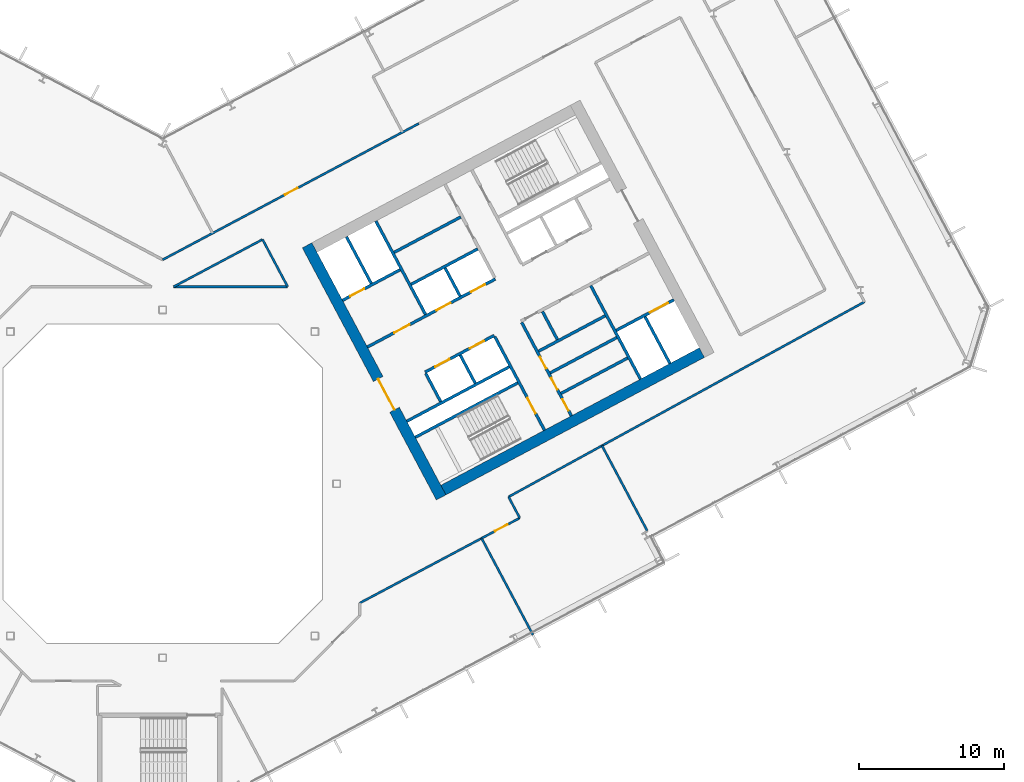
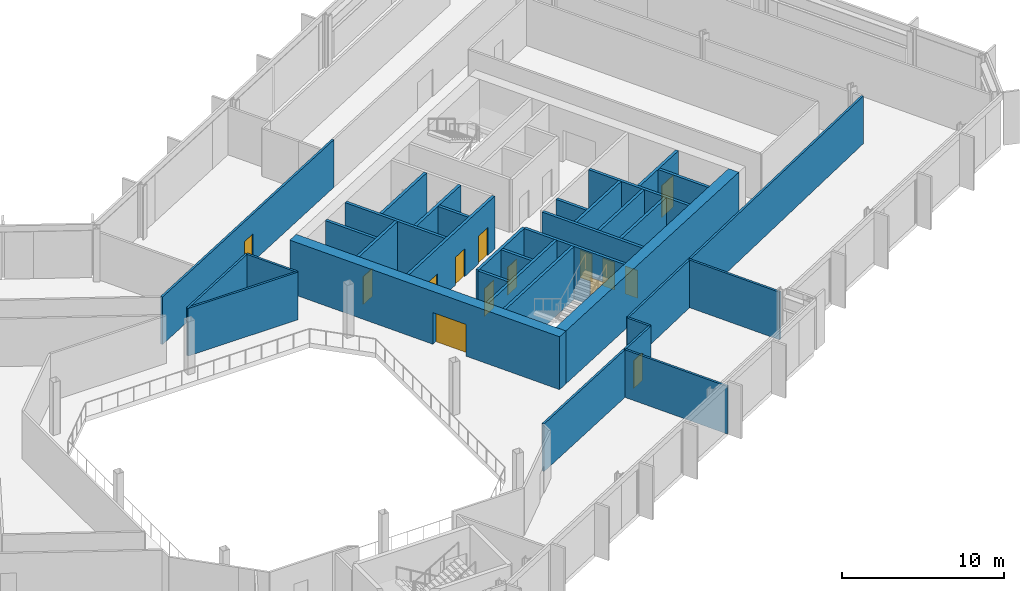
# One storey, part 16 of 28: 34 walls, 14 doors, 14 openings.
"""IFC4 building model written with IfcOpenShell, lengths in metres."""

from ifc_helpers import new_model, si_unit, direction, frame, frame_2d, origin, place, context, subcontext, project, spatial, rectangle, extrude, material, layer, layer_set, type_object, element, fill, save


model = new_model("IFC4")

# Units and contexts
model_context = context("Model", 3, precision=1e-05, world=origin(), true_north=direction((0.0, 1.0)))
body_context = subcontext(model_context, "Body", "Model", "MODEL_VIEW")
ifc_project = project(units=[si_unit("LENGTHUNIT", "METRE"), si_unit("AREAUNIT", "SQUARE_METRE"), si_unit("VOLUMEUNIT", "CUBIC_METRE"), si_unit("PLANEANGLEUNIT", "RADIAN"), si_unit("MASSUNIT", "GRAM", prefix="KILO")], contexts=[model_context])

# Site, building, storey
site_placement = place(None, origin())
site = spatial("IfcSite", under=ifc_project, at=site_placement, CompositionType="ELEMENT")
building_placement = place(site_placement, origin())
building = spatial("IfcBuilding", under=site, at=building_placement, Name="Cormorant Relay Tower", CompositionType="ELEMENT")
storey_placement = place(building_placement, frame((0.0, 0.0, 174.199951171875)))
storey = spatial("IfcBuildingStorey", under=building, at=storey_placement, Name="L37", CompositionType="ELEMENT", Elevation=174.199951171875)

# Walls
ifc_material_1 = material(Name="Concrete 40 MPa", Category="concrete")
ifc_layer_1 = layer(ifc_material_1, 0.199951171875)
ifc_layer_set_1 = layer_set([ifc_layer_1], Name="Core internal wall 200")
wall_type_1 = type_object("IfcWallType", Name="Core internal wall 200", PredefinedType="SOLIDWALL", material=ifc_layer_set_1)
for number, where, z_axis, x_axis, name in (
    (1, (21.567626953125, 6.9375, 0.0), (0.0, 0.0, 1.0), (-0.469533832133, 0.882914480843, 0.0), "L37 core B shaft and room wall"),
    (2, (20.522216796875, 12.950439453125, 0.0), (0.0, 0.0, 1.0), (-0.469401318492, 0.882984938828, 0.0), "L37 core B shaft and room wall"),
    (3, (27.236083984375, 9.951416015625, 0.0), (0.0, 0.0, 1.0), (-0.4694473164, 0.882960484464, 0.0), "L37 core B shaft and room wall"),
):
    element("IfcWall", number, at=place(storey_placement, frame(where, z_axis=z_axis, x_axis=x_axis)), inside=storey, type_object=wall_type_1, Name=name, PredefinedType="SOLIDWALL", context=body_context, shape_type="SweptSolid", body=[
        extrude(rectangle(XDim=2.199951171875, YDim=0.199951171875, at=frame_2d((1.10009765625, 0.0))), origin(), (0.0, 0.0, 1.0), 4.0),
    ])
for number, where, z_axis, x_axis, name in (
    (4, (27.490234375, 6.23583984375, 0.0), (0.0, 0.0, 1.0), (0.882953967957, 0.469459572775, 0.0), "L37 core B shaft and room wall"),
    (5, (26.739013671875, 7.6484375, 0.0), (0.0, 0.0, 1.0), (0.882934506056, 0.469496174655, 0.0), "L37 core B shaft and room wall"),
    (6, (15.97314453125, 15.968017578125, 0.0), (0.0, 0.0, 1.0), (0.882953967957, 0.469459572775, 0.0), "L37 core B shaft and room wall"),
):
    element("IfcWall", number, at=place(storey_placement, frame(where, z_axis=z_axis, x_axis=x_axis)), inside=storey, type_object=wall_type_1, Name=name, PredefinedType="SOLIDWALL", context=body_context, shape_type="SweptSolid", body=[
        extrude(rectangle(XDim=5.199951171875, YDim=0.199951171875, at=frame_2d((2.60009765625, 0.0))), origin(), (0.0, 0.0, 1.0), 4.0),
    ])
ifc_material_2 = material(Name="Concrete 50 MPa", Category="concrete")
ifc_layer_2 = layer(ifc_material_2, 0.199951171875)
ifc_layer_set_2 = layer_set([ifc_layer_2], Name="Core shaft wall 200")
wall_type_2 = type_object("IfcWallType", Name="Core shaft wall 200", PredefinedType="SHEAR", material=ifc_layer_set_2)
wall_1_placement = place(storey_placement, frame((14.39404296875, 13.825927734375, 0.0), z_axis=(0.0, 0.0, 1.0), x_axis=(-0.469494272526, 0.882935517501, 0.0)))
element("IfcWall", 7, at=wall_1_placement, inside=storey, type_object=wall_type_2, Name="L37 core B shaft wall", PredefinedType="SHEAR", context=body_context, shape_type="SweptSolid", body=[
    extrude(rectangle(XDim=3.64990234375, YDim=0.199951171875, at=frame_2d((1.824951171875, 0.0))), origin(), (0.0, 0.0, 1.0), 4.0),
])
wall_2_placement = place(storey_placement, frame((19.18359375, 5.669921875, 0.0), z_axis=(0.0, 0.0, 1.0), x_axis=(-0.4694473164, 0.882960484464, 0.0)))
element("IfcWall", 8, at=wall_2_placement, inside=storey, type_object=wall_type_2, Name="L37 core B shaft wall", PredefinedType="SHEAR", context=body_context, shape_type="SweptSolid", body=[
    extrude(rectangle(XDim=2.199951171875, YDim=0.199951171875, at=frame_2d((1.10009765625, 0.0))), origin(), (0.0, 0.0, 1.0), 4.0),
])
wall_3_placement = place(storey_placement, frame((18.138427734375, 11.682861328125, 0.0), z_axis=(0.0, 0.0, 1.0), x_axis=(-0.469480409012, 0.88294288918, 0.0)))
element("IfcWall", 9, at=wall_3_placement, inside=storey, type_object=wall_type_2, Name="L37 core B shaft wall", PredefinedType="SHEAR", context=body_context, shape_type="SweptSolid", body=[
    extrude(rectangle(XDim=7.300048828125, YDim=0.199951171875, at=frame_2d((3.64990234375, 0.0))), origin(), (0.0, 0.0, 1.0), 4.0),
])

# Wall, opening, door
wall_4_placement = place(storey_placement, frame((26.345947265625, 3.701904296875, 0.0), z_axis=(0.0, 0.0, 1.0), x_axis=(-0.469480409012, 0.88294288918, 0.0)))
wall_4 = element("IfcWall", 10, at=wall_4_placement, inside=storey, type_object=wall_type_2, Name="L37 core B shaft wall", PredefinedType="SHEAR", context=body_context, shape_type="SweptSolid", body=[
    extrude(rectangle(XDim=7.300048828125, YDim=0.199951171875, at=frame_2d((3.64990234375, 0.0))), origin(), (0.0, 0.0, 1.0), 4.0),
])
opening_1_placement = place(wall_4_placement, frame((1.300048828125, 0.0, 0.0)))
opening_1 = element("IfcOpeningElement", 11, at=opening_1_placement, cuts=wall_4, Name="Opening CDB-036", PredefinedType="OPENING", context=body_context, shape_type="SweptSolid", body=[
    extrude(rectangle(XDim=1.199951171875, YDim=2.10009765625, at=frame_2d((0.60009765625, 1.050048828125))), frame((0.0, 0.10986328125, 0.0), z_axis=(0.0, -1.0, 0.0), x_axis=(1.0, 0.0, 0.0)), (0.0, 0.0, 1.0), 0.219970703125),
])
ifc_material_3 = material(Name="Steel fire door", Category="steel")
door_type_1 = type_object("IfcDoorType", Name="Core stair door 1200x2100", OperationType="SINGLE_SWING_LEFT", PredefinedType="DOOR", material=ifc_material_3)
door_1_placement = place(opening_1_placement, origin())
door_1 = element("IfcDoor", 12, at=door_1_placement, inside=storey, type_object=door_type_1, Name="Core stair door 1200x2100", OperationType="SINGLE_SWING_RIGHT", OverallHeight=2.10009765625, OverallWidth=1.199951171875, PredefinedType="DOOR", context=body_context, shape_type="SweptSolid", body=[
    extrude(rectangle(XDim=1.199951171875, YDim=2.10009765625, at=frame_2d((0.60009765625, 1.050048828125))), frame((0.0, 0.02490234375, 0.0), z_axis=(0.0, -1.0, 0.0), x_axis=(1.0, 0.0, 0.0)), (0.0, 0.0, 1.0), 0.050048828125),
])
fill(opening_1, door_1)

# Wall, openings, doors
wall_5_placement = place(storey_placement, frame((28.199951171875, 4.687744140625, 0.0), z_axis=(0.0, 0.0, 1.0), x_axis=(-0.469454336211, 0.882956752176, 0.0)))
wall_5 = element("IfcWall", 13, at=wall_5_placement, inside=storey, type_object=wall_type_2, Name="L37 core B shaft wall", PredefinedType="SHEAR", context=body_context, shape_type="SweptSolid", body=[
    extrude(rectangle(XDim=7.300048828125, YDim=0.199951171875, at=frame_2d((3.64990234375, 0.0))), origin(), (0.0, 0.0, 1.0), 4.0),
])
opening_2_placement = place(wall_5_placement, frame((0.39990234375, 0.0, 0.0)))
opening_2 = element("IfcOpeningElement", 14, at=opening_2_placement, cuts=wall_5, Name="Opening CDD-181", PredefinedType="OPENING", context=body_context, shape_type="SweptSolid", body=[
    extrude(rectangle(XDim=0.89990234375, YDim=2.10009765625, at=frame_2d((0.449951171875, 1.050048828125))), frame((0.0, 0.10986328125, 0.0), z_axis=(0.0, -1.0, 0.0), x_axis=(1.0, 0.0, 0.0)), (0.0, 0.0, 1.0), 0.219970703125),
])
opening_3_placement = place(wall_5_placement, frame((2.050048828125, 0.0, 0.0)))
opening_3 = element("IfcOpeningElement", 15, at=opening_3_placement, cuts=wall_5, Name="Opening CDD-220", PredefinedType="OPENING", context=body_context, shape_type="SweptSolid", body=[
    extrude(rectangle(XDim=0.89990234375, YDim=2.10009765625, at=frame_2d((0.449951171875, 1.050048828125))), frame((0.0, 0.10986328125, 0.0), z_axis=(0.0, -1.0, 0.0), x_axis=(1.0, 0.0, 0.0)), (0.0, 0.0, 1.0), 0.219970703125),
])
opening_4_placement = place(wall_5_placement, frame((3.699951171875, 0.0, 0.0)))
opening_4 = element("IfcOpeningElement", 16, at=opening_4_placement, cuts=wall_5, Name="Opening CDD-219", PredefinedType="OPENING", context=body_context, shape_type="SweptSolid", body=[
    extrude(rectangle(XDim=0.89990234375, YDim=2.10009765625, at=frame_2d((0.449951171875, 1.050048828125))), frame((0.0, 0.10986328125, 0.0), z_axis=(0.0, -1.0, 0.0), x_axis=(1.0, 0.0, 0.0)), (0.0, 0.0, 1.0), 0.219970703125),
])
ifc_material_4 = material(Name="Steel fire door", Category="steel")
door_type_2 = type_object("IfcDoorType", Name="Core room door 900x2100", OperationType="SINGLE_SWING_LEFT", PredefinedType="DOOR", material=ifc_material_4)
door_2_placement = place(opening_2_placement, frame((0.89990234375, 0.0, 0.0), z_axis=(0.0, 0.0, 1.0), x_axis=(-1.0, 0.0, 0.0)))
door_2 = element("IfcDoor", 17, at=door_2_placement, inside=storey, type_object=door_type_2, Name="Core room door 900x2100", OperationType="SINGLE_SWING_LEFT", OverallHeight=2.10009765625, OverallWidth=0.89990234375, PredefinedType="DOOR", context=body_context, shape_type="SweptSolid", body=[
    extrude(rectangle(XDim=0.89990234375, YDim=2.10009765625, at=frame_2d((0.449951171875, 1.050048828125))), frame((0.0, 0.02490234375, 0.0), z_axis=(0.0, -1.0, 0.0), x_axis=(1.0, 0.0, 0.0)), (0.0, 0.0, 1.0), 0.050048828125),
])
fill(opening_2, door_2)
door_3_placement = place(opening_3_placement, frame((0.89990234375, 0.0, 0.0), z_axis=(0.0, 0.0, 1.0), x_axis=(-1.0, 0.0, 0.0)))
door_3 = element("IfcDoor", 18, at=door_3_placement, inside=storey, type_object=door_type_2, Name="Core room door 900x2100", OperationType="SINGLE_SWING_LEFT", OverallHeight=2.10009765625, OverallWidth=0.89990234375, PredefinedType="DOOR", context=body_context, shape_type="SweptSolid", body=[
    extrude(rectangle(XDim=0.89990234375, YDim=2.10009765625, at=frame_2d((0.449951171875, 1.050048828125))), frame((0.0, 0.02490234375, 0.0), z_axis=(0.0, -1.0, 0.0), x_axis=(1.0, 0.0, 0.0)), (0.0, 0.0, 1.0), 0.050048828125),
])
fill(opening_3, door_3)
door_4_placement = place(opening_4_placement, origin())
door_4 = element("IfcDoor", 19, at=door_4_placement, inside=storey, type_object=door_type_2, Name="Core room door 900x2100", OperationType="SINGLE_SWING_RIGHT", OverallHeight=2.10009765625, OverallWidth=0.89990234375, PredefinedType="DOOR", context=body_context, shape_type="SweptSolid", body=[
    extrude(rectangle(XDim=0.89990234375, YDim=2.10009765625, at=frame_2d((0.449951171875, 1.050048828125))), frame((0.0, 0.02490234375, 0.0), z_axis=(0.0, -1.0, 0.0), x_axis=(1.0, 0.0, 0.0)), (0.0, 0.0, 1.0), 0.050048828125),
])
fill(opening_4, door_4)

# Walls
wall_6_placement = place(storey_placement, frame((32.968017578125, 7.222900390625, 0.0), z_axis=(0.0, 0.0, 1.0), x_axis=(-0.469480409012, 0.88294288918, 0.0)))
element("IfcWall", 20, at=wall_6_placement, inside=storey, type_object=wall_type_2, Name="L37 core B shaft wall", PredefinedType="SHEAR", context=body_context, shape_type="SweptSolid", body=[
    extrude(rectangle(XDim=7.300048828125, YDim=0.199951171875, at=frame_2d((3.64990234375, 0.0))), origin(), (0.0, 0.0, 1.0), 4.0),
])
wall_7_placement = place(storey_placement, frame((34.998779296875, 8.302734375, 0.0), z_axis=(0.0, 0.0, 1.0), x_axis=(-0.4694665462, 0.882950260207, 0.0)))
element("IfcWall", 21, at=wall_7_placement, inside=storey, type_object=wall_type_2, Name="L37 core B shaft wall", PredefinedType="SHEAR", context=body_context, shape_type="SweptSolid", body=[
    extrude(rectangle(XDim=3.650146484375, YDim=0.199951171875, at=frame_2d((1.8251953125, 0.0))), origin(), (0.0, 0.0, 1.0), 4.0),
])
wall_8_placement = place(storey_placement, frame((17.43359375, 3.210205078125, 0.0), z_axis=(0.0, 0.0, 1.0), x_axis=(0.882940221191, 0.469485426614, 0.0)))
element("IfcWall", 22, at=wall_8_placement, inside=storey, type_object=wall_type_2, Name="L37 core B shaft wall", PredefinedType="SHEAR", context=body_context, shape_type="SweptSolid", body=[
    extrude(rectangle(XDim=8.0, YDim=0.199951171875, at=frame_2d((4.0, 0.0))), origin(), (0.0, 0.0, 1.0), 4.0),
])

# Wall, opening, door
wall_9_placement = place(storey_placement, frame((31.295654296875, 10.5810546875, 0.0), z_axis=(0.0, 0.0, 1.0), x_axis=(0.882960433586, 0.469447412093, 0.0)))
wall_9 = element("IfcWall", 23, at=wall_9_placement, inside=storey, type_object=wall_type_2, Name="L37 core B shaft wall", PredefinedType="SHEAR", context=body_context, shape_type="SweptSolid", body=[
    extrude(rectangle(XDim=4.5, YDim=0.199951171875, at=frame_2d((2.25, 0.0))), origin(), (0.0, 0.0, 1.0), 4.0),
])
opening_5_placement = place(wall_9_placement, frame((2.64990234375, 0.0, 0.0)))
opening_5 = element("IfcOpeningElement", 24, at=opening_5_placement, cuts=wall_9, Name="Opening LD3-014", PredefinedType="OPENING", context=body_context, shape_type="SweptSolid", body=[
    extrude(rectangle(XDim=1.39990234375, YDim=2.39990234375, at=frame_2d((0.699951171875, 1.199951171875))), frame((0.0, 0.10986328125, 0.0), z_axis=(0.0, -1.0, 0.0), x_axis=(1.0, 0.0, 0.0)), (0.0, 0.0, 1.0), 0.219970703125),
])
ifc_material_5 = material(Name="Stainless steel 316", Category="steel")
door_type_3 = type_object("IfcDoorType", Name="Lift landing door 1400x2400", OperationType="DOUBLE_DOOR_SLIDING", PredefinedType="DOOR", material=ifc_material_5)
door_5_placement = place(opening_5_placement, origin())
door_5 = element("IfcDoor", 25, at=door_5_placement, inside=storey, type_object=door_type_3, Name="SV2 landing door", OperationType="DOUBLE_DOOR_SLIDING", OverallHeight=2.39990234375, OverallWidth=1.39990234375, PredefinedType="DOOR", context=body_context, shape_type="SweptSolid", body=[
    extrude(rectangle(XDim=1.39990234375, YDim=2.39990234375, at=frame_2d((0.699951171875, 1.199951171875))), frame((0.0, 0.02490234375, 0.0), z_axis=(0.0, -1.0, 0.0), x_axis=(1.0, 0.0, 0.0)), (0.0, 0.0, 1.0), 0.050048828125),
])
fill(opening_5, door_5)

# Walls
wall_10_placement = place(storey_placement, frame((16.8466796875, 4.31396484375, 0.0), z_axis=(0.0, 0.0, 1.0), x_axis=(0.882940221191, 0.469485426614, 0.0)))
element("IfcWall", 26, at=wall_10_placement, inside=storey, type_object=wall_type_2, Name="L37 core B shaft wall", PredefinedType="SHEAR", context=body_context, shape_type="SweptSolid", body=[
    extrude(rectangle(XDim=8.0, YDim=0.199951171875, at=frame_2d((4.0, 0.0))), origin(), (0.0, 0.0, 1.0), 4.0),
])
wall_11_placement = place(storey_placement, frame((25.94091796875, 9.149658203125, 0.0), z_axis=(0.0, 0.0, 1.0), x_axis=(0.882953967957, 0.469459572775, 0.0)))
element("IfcWall", 27, at=wall_11_placement, inside=storey, type_object=wall_type_2, Name="L37 core B shaft wall", PredefinedType="SHEAR", context=body_context, shape_type="SweptSolid", body=[
    extrude(rectangle(XDim=5.199951171875, YDim=0.199951171875, at=frame_2d((2.60009765625, 0.0))), origin(), (0.0, 0.0, 1.0), 4.0),
])

# Wall, openings, doors
wall_12_placement = place(storey_placement, frame((18.103759765625, 7.70068359375, 0.0), z_axis=(0.0, 0.0, 1.0), x_axis=(0.882952937579, 0.469461510692, 0.0)))
wall_12 = element("IfcWall", 28, at=wall_12_placement, inside=storey, type_object=wall_type_2, Name="L37 core B shaft wall", PredefinedType="SHEAR", context=body_context, shape_type="SweptSolid", body=[
    extrude(rectangle(XDim=5.400146484375, YDim=0.199951171875, at=frame_2d((2.7001953125, 0.0))), origin(), (0.0, 0.0, 1.0), 4.0),
])
opening_6_placement = place(wall_12_placement, frame((0.800048828125, 0.0, 0.0)))
opening_6 = element("IfcOpeningElement", 29, at=opening_6_placement, cuts=wall_12, Name="Opening LD1-048", PredefinedType="OPENING", context=body_context, shape_type="SweptSolid", body=[
    extrude(rectangle(XDim=1.10009765625, YDim=2.10009765625, at=frame_2d((0.550048828125, 1.050048828125))), frame((0.0, 0.10986328125, 0.0), z_axis=(0.0, -1.0, 0.0), x_axis=(1.0, 0.0, 0.0)), (0.0, 0.0, 1.0), 0.219970703125),
])
opening_7_placement = place(wall_12_placement, frame((3.5, 0.0, 0.0)))
opening_7 = element("IfcOpeningElement", 30, at=opening_7_placement, cuts=wall_12, Name="Opening LD1-049", PredefinedType="OPENING", context=body_context, shape_type="SweptSolid", body=[
    extrude(rectangle(XDim=1.10009765625, YDim=2.10009765625, at=frame_2d((0.550048828125, 1.050048828125))), frame((0.0, 0.10986328125, 0.0), z_axis=(0.0, -1.0, 0.0), x_axis=(1.0, 0.0, 0.0)), (0.0, 0.0, 1.0), 0.219970703125),
])
ifc_material_6 = material(Name="Stainless steel 316", Category="steel")
door_type_4 = type_object("IfcDoorType", Name="Lift landing door 1100x2100", OperationType="DOUBLE_DOOR_SLIDING", PredefinedType="DOOR", material=ifc_material_6)
door_6_placement = place(opening_6_placement, origin())
door_6 = element("IfcDoor", 31, at=door_6_placement, inside=storey, type_object=door_type_4, Name="LR5 landing door", OperationType="DOUBLE_DOOR_SLIDING", OverallHeight=2.10009765625, OverallWidth=1.10009765625, PredefinedType="DOOR", context=body_context, shape_type="SweptSolid", body=[
    extrude(rectangle(XDim=1.10009765625, YDim=2.10009765625, at=frame_2d((0.550048828125, 1.050048828125))), frame((0.0, 0.02490234375, 0.0), z_axis=(0.0, -1.0, 0.0), x_axis=(1.0, 0.0, 0.0)), (0.0, 0.0, 1.0), 0.050048828125),
])
fill(opening_6, door_6)
door_7_placement = place(opening_7_placement, origin())
door_7 = element("IfcDoor", 32, at=door_7_placement, inside=storey, type_object=door_type_4, Name="LR6 landing door", OperationType="DOUBLE_DOOR_SLIDING", OverallHeight=2.10009765625, OverallWidth=1.10009765625, PredefinedType="DOOR", context=body_context, shape_type="SweptSolid", body=[
    extrude(rectangle(XDim=1.10009765625, YDim=2.10009765625, at=frame_2d((0.550048828125, 1.050048828125))), frame((0.0, 0.02490234375, 0.0), z_axis=(0.0, -1.0, 0.0), x_axis=(1.0, 0.0, 0.0)), (0.0, 0.0, 1.0), 0.050048828125),
])
fill(opening_7, door_7)

wall_13_placement = place(storey_placement, frame((14.123779296875, 9.43505859375, 0.0), z_axis=(0.0, 0.0, 1.0), x_axis=(0.882940221191, 0.469485426614, 0.0)))
wall_13 = element("IfcWall", 33, at=wall_13_placement, inside=storey, type_object=wall_type_2, Name="L37 core B shaft wall", PredefinedType="SHEAR", context=body_context, shape_type="SweptSolid", body=[
    extrude(rectangle(XDim=10.0, YDim=0.199951171875, at=frame_2d((5.0, 0.0))), origin(), (0.0, 0.0, 1.0), 4.0),
])
opening_8_placement = place(wall_13_placement, frame((2.10009765625, 0.0, 0.0)))
opening_8 = element("IfcOpeningElement", 34, at=opening_8_placement, cuts=wall_13, Name="Opening CDC-027", PredefinedType="OPENING", context=body_context, shape_type="SweptSolid", body=[
    extrude(rectangle(XDim=1.199951171875, YDim=2.10009765625, at=frame_2d((0.60009765625, 1.050048828125))), frame((0.0, 0.10986328125, 0.0), z_axis=(0.0, -1.0, 0.0), x_axis=(1.0, 0.0, 0.0)), (0.0, 0.0, 1.0), 0.219970703125),
])
opening_9_placement = place(wall_13_placement, frame((5.39990234375, 0.0, 0.0)))
opening_9 = element("IfcOpeningElement", 35, at=opening_9_placement, cuts=wall_13, Name="Opening LD1-044", PredefinedType="OPENING", context=body_context, shape_type="SweptSolid", body=[
    extrude(rectangle(XDim=1.10009765625, YDim=2.10009765625, at=frame_2d((0.550048828125, 1.050048828125))), frame((0.0, 0.10986328125, 0.0), z_axis=(0.0, -1.0, 0.0), x_axis=(1.0, 0.0, 0.0)), (0.0, 0.0, 1.0), 0.219970703125),
])
opening_10_placement = place(wall_13_placement, frame((8.10009765625, 0.0, 0.0)))
opening_10 = element("IfcOpeningElement", 36, at=opening_10_placement, cuts=wall_13, Name="Opening LD1-045", PredefinedType="OPENING", context=body_context, shape_type="SweptSolid", body=[
    extrude(rectangle(XDim=1.10009765625, YDim=2.10009765625, at=frame_2d((0.550048828125, 1.050048828125))), frame((0.0, 0.10986328125, 0.0), z_axis=(0.0, -1.0, 0.0), x_axis=(1.0, 0.0, 0.0)), (0.0, 0.0, 1.0), 0.219970703125),
])
ifc_material_7 = material(Name="Steel fire door", Category="steel")
door_type_5 = type_object("IfcDoorType", Name="Core lobby door 1200x2100", OperationType="SINGLE_SWING_LEFT", PredefinedType="DOOR", material=ifc_material_7)
door_8_placement = place(opening_8_placement, origin())
door_8 = element("IfcDoor", 37, at=door_8_placement, inside=storey, type_object=door_type_5, Name="Core lobby door 1200x2100", OperationType="SINGLE_SWING_RIGHT", OverallHeight=2.10009765625, OverallWidth=1.199951171875, PredefinedType="DOOR", context=body_context, shape_type="SweptSolid", body=[
    extrude(rectangle(XDim=1.199951171875, YDim=2.10009765625, at=frame_2d((0.60009765625, 1.050048828125))), frame((0.0, 0.02490234375, 0.0), z_axis=(0.0, -1.0, 0.0), x_axis=(1.0, 0.0, 0.0)), (0.0, 0.0, 1.0), 0.050048828125),
])
fill(opening_8, door_8)
door_9_placement = place(opening_9_placement, origin())
door_9 = element("IfcDoor", 38, at=door_9_placement, inside=storey, type_object=door_type_4, Name="LR1 landing door", OperationType="DOUBLE_DOOR_SLIDING", OverallHeight=2.10009765625, OverallWidth=1.10009765625, PredefinedType="DOOR", context=body_context, shape_type="SweptSolid", body=[
    extrude(rectangle(XDim=1.10009765625, YDim=2.10009765625, at=frame_2d((0.550048828125, 1.050048828125))), frame((0.0, 0.02490234375, 0.0), z_axis=(0.0, -1.0, 0.0), x_axis=(1.0, 0.0, 0.0)), (0.0, 0.0, 1.0), 0.050048828125),
])
fill(opening_9, door_9)
door_10_placement = place(opening_10_placement, origin())
door_10 = element("IfcDoor", 39, at=door_10_placement, inside=storey, type_object=door_type_4, Name="LR2 landing door", OperationType="DOUBLE_DOOR_SLIDING", OverallHeight=2.10009765625, OverallWidth=1.10009765625, PredefinedType="DOOR", context=body_context, shape_type="SweptSolid", body=[
    extrude(rectangle(XDim=1.10009765625, YDim=2.10009765625, at=frame_2d((0.550048828125, 1.050048828125))), frame((0.0, 0.02490234375, 0.0), z_axis=(0.0, -1.0, 0.0), x_axis=(1.0, 0.0, 0.0)), (0.0, 0.0, 1.0), 0.050048828125),
])
fill(opening_10, door_10)

# Wall
wall_14_placement = place(storey_placement, frame((17.146728515625, 13.7607421875, 0.0), z_axis=(0.0, 0.0, 1.0), x_axis=(0.882964314875, 0.469440111896, 0.0)))
element("IfcWall", 40, at=wall_14_placement, inside=storey, type_object=wall_type_2, Name="L37 core B shaft wall", PredefinedType="SHEAR", context=body_context, shape_type="SweptSolid", body=[
    extrude(rectangle(XDim=5.2001953125, YDim=0.199951171875, at=frame_2d((2.60009765625, 0.0))), origin(), (0.0, 0.0, 1.0), 4.0),
])

# Wall, opening, door
wall_15_placement = place(storey_placement, frame((12.41015625, 12.657958984375, 0.0), z_axis=(0.0, 0.0, 1.0), x_axis=(0.8829484765, 0.469469900894, 0.0)))
wall_15 = element("IfcWall", 41, at=wall_15_placement, inside=storey, type_object=wall_type_2, Name="L37 core B shaft wall", PredefinedType="SHEAR", context=body_context, shape_type="SweptSolid", body=[
    extrude(rectangle(XDim=4.499755859375, YDim=0.199951171875, at=frame_2d((2.25, 0.0))), origin(), (0.0, 0.0, 1.0), 4.0),
])
opening_11_placement = place(wall_15_placement, frame((0.60009765625, 0.0, 0.0)))
opening_11 = element("IfcOpeningElement", 42, at=opening_11_placement, cuts=wall_15, Name="Opening LD1-050", PredefinedType="OPENING", context=body_context, shape_type="SweptSolid", body=[
    extrude(rectangle(XDim=1.10009765625, YDim=2.10009765625, at=frame_2d((0.550048828125, 1.050048828125))), frame((0.0, 0.10986328125, 0.0), z_axis=(0.0, -1.0, 0.0), x_axis=(1.0, 0.0, 0.0)), (0.0, 0.0, 1.0), 0.219970703125),
])
door_11_placement = place(opening_11_placement, origin())
door_11 = element("IfcDoor", 43, at=door_11_placement, inside=storey, type_object=door_type_4, Name="FF2 landing door", OperationType="DOUBLE_DOOR_SLIDING", OverallHeight=2.10009765625, OverallWidth=1.10009765625, PredefinedType="DOOR", context=body_context, shape_type="SweptSolid", body=[
    extrude(rectangle(XDim=1.10009765625, YDim=2.10009765625, at=frame_2d((0.550048828125, 1.050048828125))), frame((0.0, 0.02490234375, 0.0), z_axis=(0.0, -1.0, 0.0), x_axis=(1.0, 0.0, 0.0)), (0.0, 0.0, 1.0), 0.050048828125),
])
fill(opening_11, door_11)

ifc_material_8 = material(Name="Concrete 60 MPa", Category="concrete")
ifc_layer_3 = layer(ifc_material_8, 0.75)
ifc_layer_set_3 = layer_set([ifc_layer_3], Name="Core wall 750")
wall_type_3 = type_object("IfcWallType", Name="Core wall 750", PredefinedType="SHEAR", material=ifc_layer_set_3)
wall_16_placement = place(storey_placement, frame((19.215087890625, -0.93896484375, 0.0), z_axis=(0.0, 0.0, 1.0), x_axis=(-0.469479580143, 0.882943329908, 0.0)))
wall_16 = element("IfcWall", 44, at=wall_16_placement, inside=storey, type_object=wall_type_3, Name="L37 core B wall", PredefinedType="SHEAR", context=body_context, shape_type="SweptSolid", body=[
    extrude(rectangle(XDim=19.699951171875, YDim=0.75, at=frame_2d((9.85009765625, 0.0))), origin(), (0.0, 0.0, 1.0), 4.0),
])
opening_12_placement = place(wall_16_placement, frame((6.85009765625, 0.0, 0.0)))
opening_12 = element("IfcOpeningElement", 45, at=opening_12_placement, cuts=wall_16, Name="Opening CDA-031", PredefinedType="OPENING", context=body_context, shape_type="SweptSolid", body=[
    extrude(rectangle(XDim=2.39990234375, YDim=2.39990234375, at=frame_2d((1.199951171875, 1.199951171875))), frame((0.0, 0.385009765625, 0.0), z_axis=(0.0, -1.0, 0.0), x_axis=(1.0, 0.0, 0.0)), (0.0, 0.0, 1.0), 0.77001953125),
])
ifc_material_9 = material(Name="Steel fire door", Category="steel")
door_type_6 = type_object("IfcDoorType", Name="Core lobby door 2400x2400", OperationType="DOUBLE_DOOR_SINGLE_SWING", PredefinedType="DOOR", material=ifc_material_9)
door_12_placement = place(opening_12_placement, origin())
door_12 = element("IfcDoor", 46, at=door_12_placement, inside=storey, type_object=door_type_6, Name="Core lobby door 2400x2400", OperationType="DOUBLE_DOOR_SINGLE_SWING", OverallHeight=2.39990234375, OverallWidth=2.39990234375, PredefinedType="DOOR", context=body_context, shape_type="SweptSolid", body=[
    extrude(rectangle(XDim=2.39990234375, YDim=2.39990234375, at=frame_2d((1.199951171875, 1.199951171875))), frame((0.0, 0.02490234375, 0.0), z_axis=(0.0, -1.0, 0.0), x_axis=(1.0, 0.0, 0.0)), (0.0, 0.0, 1.0), 0.050048828125),
])
fill(opening_12, door_12)

# Wall
wall_17_placement = place(storey_placement, frame((19.3701171875, -0.431884765625, 0.0), z_axis=(0.0, 0.0, 1.0), x_axis=(0.88294509198, 0.469476266226, 0.0)))
element("IfcWall", 47, at=wall_17_placement, inside=storey, type_object=wall_type_3, Name="L37 core B wall", PredefinedType="SHEAR", context=body_context, shape_type="SweptSolid", body=[
    extrude(rectangle(XDim=20.199951171875, YDim=0.75, at=frame_2d((10.10009765625, 0.0))), origin(), (0.0, 0.0, 1.0), 4.0),
])

# Wall, opening, door
ifc_material_10 = material(Name="Gypsum board fire partition")
ifc_layer_4 = layer(ifc_material_10, 0.14990234375)
ifc_layer_set_4 = layer_set([ifc_layer_4], Name="Corridor partition 150 EI 60")
wall_type_4 = type_object("IfcWallType", Name="Corridor partition 150 EI 60", PredefinedType="PARTITIONING", material=ifc_layer_set_4)
wall_18_placement = place(storey_placement, frame((0.0, 15.4599609375, 0.0), z_axis=(0.0, 0.0, 1.0), x_axis=(0.882949722977, 0.469467556594, 0.0)))
wall_18 = element("IfcWall", 48, at=wall_18_placement, inside=storey, type_object=wall_type_4, Name="wall/L37/part/034", PredefinedType="PARTITIONING", context=body_context, shape_type="SweptSolid", body=[
    extrude(rectangle(XDim=20.0205078125, YDim=0.14990234375, at=frame_2d((10.01025390625, 0.0))), origin(), (0.0, 0.0, 1.0), 3.60009765625),
])
opening_13_placement = place(wall_18_placement, frame((9.550048828125, 0.0, 0.0)))
opening_13 = element("IfcOpeningElement", 49, at=opening_13_placement, cuts=wall_18, Name="Opening DS-076", PredefinedType="OPENING", context=body_context, shape_type="SweptSolid", body=[
    extrude(rectangle(XDim=1.0, YDim=2.10009765625, at=frame_2d((0.5, 1.050048828125))), frame((0.0, 0.0849609375, 0.0), z_axis=(0.0, -1.0, 0.0), x_axis=(1.0, 0.0, 0.0)), (0.0, 0.0, 1.0), 0.169921875),
])
ifc_material_11 = material(Name="Timber door leaf", Category="wood")
door_type_7 = type_object("IfcDoorType", Name="Suite door 1000x2100", OperationType="SINGLE_SWING_LEFT", PredefinedType="DOOR", material=ifc_material_11)
door_13_placement = place(opening_13_placement, origin())
door_13 = element("IfcDoor", 50, at=door_13_placement, inside=storey, type_object=door_type_7, Name="door/L37/007", OperationType="SINGLE_SWING_LEFT", OverallHeight=2.10009765625, OverallWidth=1.0, PredefinedType="DOOR", context=body_context, shape_type="SweptSolid", body=[
    extrude(rectangle(XDim=1.0, YDim=2.10009765625, at=frame_2d((0.5, 1.050048828125))), frame((0.0, 0.02490234375, 0.0), z_axis=(0.0, -1.0, 0.0), x_axis=(1.0, 0.0, 0.0)), (0.0, 0.0, 1.0), 0.050048828125),
])
fill(opening_13, door_13)

# Walls
wall_19_placement = place(storey_placement, frame((22.032958984375, -3.7451171875, 0.0), z_axis=(0.0, 0.0, 1.0), x_axis=(-0.882987596652, -0.469396318859, 0.0)))
element("IfcWall", 51, at=wall_19_placement, inside=storey, type_object=wall_type_4, Name="wall/L37/part/056", PredefinedType="PARTITIONING", context=body_context, shape_type="SweptSolid", body=[
    extrude(rectangle(XDim=9.55029296875, YDim=0.14990234375, at=frame_2d((4.775146484375, 0.0))), origin(), (0.0, 0.0, 1.0), 3.60009765625),
])
wall_20_placement = place(storey_placement, frame((23.867919921875, -0.904052734375, 0.0), z_axis=(0.0, 0.0, 1.0), x_axis=(0.469549041813, -0.882906392169, 0.0)))
element("IfcWall", 52, at=wall_20_placement, inside=storey, type_object=wall_type_4, Name="wall/L37/part/064", PredefinedType="PARTITIONING", context=body_context, shape_type="SweptSolid", body=[
    extrude(rectangle(XDim=1.646728515625, YDim=0.14990234375, at=frame_2d((0.8232421875, 0.0))), origin(), (0.0, 0.0, 1.0), 3.60009765625),
])

# Wall, opening, door
wall_21_placement = place(storey_placement, frame((24.64111328125, -2.35791015625, 0.0), z_axis=(0.0, 0.0, 1.0), x_axis=(-0.882887698607, -0.46958419016, 0.0)))
wall_21 = element("IfcWall", 53, at=wall_21_placement, inside=storey, type_object=wall_type_4, Name="wall/L37/part/065", PredefinedType="PARTITIONING", context=body_context, shape_type="SweptSolid", body=[
    extrude(rectangle(XDim=2.9541015625, YDim=0.14990234375, at=frame_2d((1.47705078125, 0.0))), origin(), (0.0, 0.0, 1.0), 3.60009765625),
])
opening_14_placement = place(wall_21_placement, frame((0.949951171875, 0.0, 0.0)))
opening_14 = element("IfcOpeningElement", 54, at=opening_14_placement, cuts=wall_21, Name="Opening DS-075", PredefinedType="OPENING", context=body_context, shape_type="SweptSolid", body=[
    extrude(rectangle(XDim=1.0, YDim=2.10009765625, at=frame_2d((0.5, 1.050048828125))), frame((0.0, 0.0849609375, 0.0), z_axis=(0.0, -1.0, 0.0), x_axis=(1.0, 0.0, 0.0)), (0.0, 0.0, 1.0), 0.169921875),
])
door_14_placement = place(opening_14_placement, origin())
door_14 = element("IfcDoor", 55, at=door_14_placement, inside=storey, type_object=door_type_7, Name="door/L37/004", OperationType="SINGLE_SWING_RIGHT", OverallHeight=2.10009765625, OverallWidth=1.0, PredefinedType="DOOR", context=body_context, shape_type="SweptSolid", body=[
    extrude(rectangle(XDim=1.0, YDim=2.10009765625, at=frame_2d((0.5, 1.050048828125))), frame((0.0, 0.02490234375, 0.0), z_axis=(0.0, -1.0, 0.0), x_axis=(1.0, 0.0, 0.0)), (0.0, 0.0, 1.0), 0.050048828125),
])
fill(opening_14, door_14)

# Walls
wall_22_placement = place(storey_placement, frame((30.405029296875, 2.680908203125, 0.0), z_axis=(0.0, 0.0, 1.0), x_axis=(-0.877016761441, -0.480459779952, 0.0)))
element("IfcWall", 56, at=wall_22_placement, inside=storey, type_object=wall_type_4, Name="wall/L37/part/067", PredefinedType="PARTITIONING", context=body_context, shape_type="SweptSolid", body=[
    extrude(rectangle(XDim=7.454833984375, YDim=0.14990234375, at=frame_2d((3.7275390625, 0.0))), origin(), (0.0, 0.0, 1.0), 3.60009765625),
])
wall_23_placement = place(storey_placement, frame((48.425048828125, 12.552978515625, 0.0), z_axis=(0.0, 0.0, 1.0), x_axis=(-0.877014972238, -0.480463045894, 0.0)))
element("IfcWall", 57, at=wall_23_placement, inside=storey, type_object=wall_type_4, Name="wall/L37/part/071", PredefinedType="PARTITIONING", context=body_context, shape_type="SweptSolid", body=[
    extrude(rectangle(XDim=20.546875, YDim=0.14990234375, at=frame_2d((10.2734375, 0.0))), origin(), (0.0, 0.0, 1.0), 3.60009765625),
])
wall_24_placement = place(storey_placement, frame((0.762939453125, 13.60009765625, 0.0), z_axis=(0.0, 0.0, 1.0), x_axis=(1.0, 0.0, 0.0)))
element("IfcWall", 58, at=wall_24_placement, inside=storey, type_object=wall_type_4, Name="wall/L37/part/082", PredefinedType="PARTITIONING", context=body_context, shape_type="SweptSolid", body=[
    extrude(rectangle(XDim=7.862060546875, YDim=0.14990234375, at=frame_2d((3.93115234375, 0.0))), origin(), (0.0, 0.0, 1.0), 3.60009765625),
])
wall_25_placement = place(storey_placement, frame((8.625, 13.60009765625, 0.0), z_axis=(0.0, 0.0, 1.0), x_axis=(-0.469509851752, 0.88292723319, 0.0)))
element("IfcWall", 59, at=wall_25_placement, inside=storey, type_object=wall_type_4, Name="wall/L37/part/083", PredefinedType="PARTITIONING", context=body_context, shape_type="SweptSolid", body=[
    extrude(rectangle(XDim=3.69091796875, YDim=0.14990234375, at=frame_2d((1.845458984375, 0.0))), origin(), (0.0, 0.0, 1.0), 3.60009765625),
])
wall_26_placement = place(storey_placement, frame((6.89208984375, 16.85888671875, 0.0), z_axis=(0.0, 0.0, 1.0), x_axis=(-0.882955833877, -0.469456063357, 0.0)))
element("IfcWall", 60, at=wall_26_placement, inside=storey, type_object=wall_type_4, Name="wall/L37/part/084", PredefinedType="PARTITIONING", context=body_context, shape_type="SweptSolid", body=[
    extrude(rectangle(XDim=6.941650390625, YDim=0.14990234375, at=frame_2d((3.470703125, 0.0))), origin(), (0.0, 0.0, 1.0), 3.60009765625),
])
ifc_material_12 = material(Name="Gypsum board partition")
ifc_layer_5 = layer(ifc_material_12, 0.14990234375)
ifc_layer_set_5 = layer_set([ifc_layer_5], Name="Tenant partition 150")
wall_type_5 = type_object("IfcWallType", Name="Tenant partition 150", PredefinedType="PARTITIONING", material=ifc_layer_set_5)
wall_27_placement = place(storey_placement, frame((22.007080078125, -3.758056640625, 0.0), z_axis=(0.0, 0.0, 1.0), x_axis=(0.469527165858, -0.882918025935, 0.0)))
element("IfcWall", 61, at=wall_27_placement, inside=storey, type_object=wall_type_5, Name="wall/L37/part/055", PredefinedType="PARTITIONING", context=body_context, shape_type="SweptSolid", body=[
    extrude(rectangle(XDim=7.550048828125, YDim=0.14990234375, at=frame_2d((3.77490234375, 0.0))), origin(), (0.0, 0.0, 1.0), 3.60009765625),
])
wall_28_placement = place(storey_placement, frame((30.31298828125, 2.631103515625, 0.0), z_axis=(0.0, 0.0, 1.0), x_axis=(0.469521541478, -0.882921016902, 0.0)))
element("IfcWall", 62, at=wall_28_placement, inside=storey, type_object=wall_type_5, Name="wall/L37/part/066", PredefinedType="PARTITIONING", context=body_context, shape_type="SweptSolid", body=[
    extrude(rectangle(XDim=6.642822265625, YDim=0.14990234375, at=frame_2d((3.3212890625, 0.0))), origin(), (0.0, 0.0, 1.0), 3.60009765625),
])

save(model, "model.ifc")
